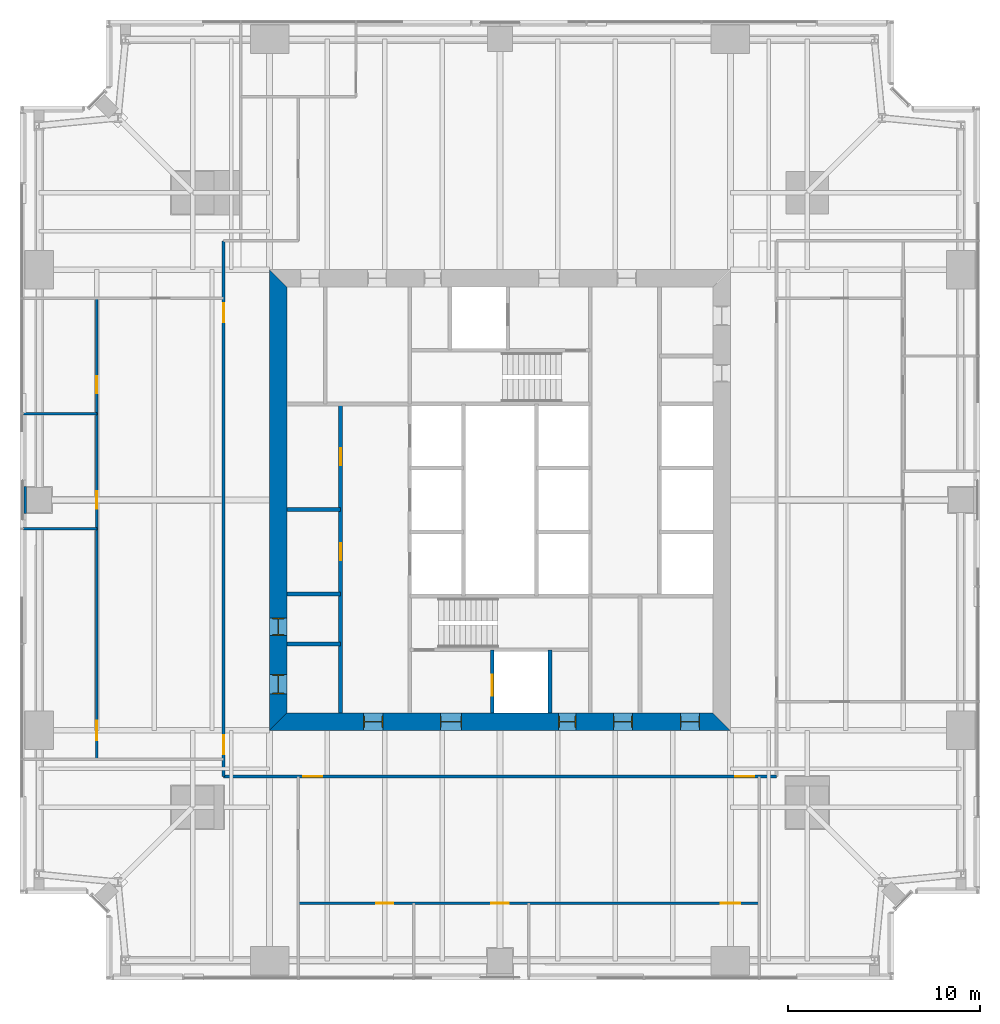
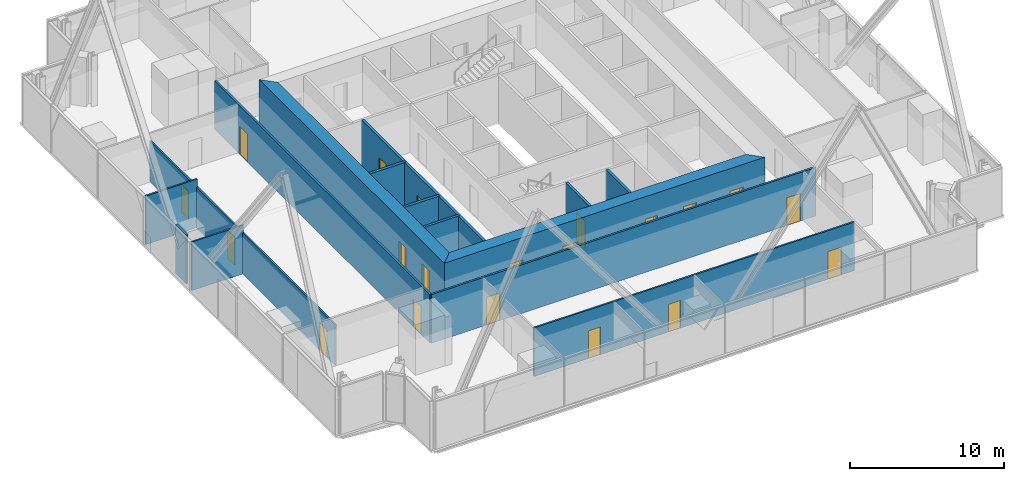
# One storey, part 9 of 13: 20 doors, 15 walls, 20 openings.
"""IFC4 building model written with IfcOpenShell, lengths in metres."""

from ifc_helpers import new_model, si_unit, direction, frame, frame_2d, origin, place, context, subcontext, project, spatial, polyline, rectangle, outline, extrude, material, layer, layer_set, type_object, element, fill, save


model = new_model("IFC4")

# Units and contexts
model_context = context("Model", 3, precision=1e-05, world=origin(), true_north=direction((0.0, 1.0)))
body_context = subcontext(model_context, "Body", "Model", "MODEL_VIEW")
ifc_project = project(units=[si_unit("LENGTHUNIT", "METRE"), si_unit("AREAUNIT", "SQUARE_METRE"), si_unit("VOLUMEUNIT", "CUBIC_METRE"), si_unit("PLANEANGLEUNIT", "RADIAN"), si_unit("MASSUNIT", "GRAM", prefix="KILO")], contexts=[model_context])

# Site, building, storey
site_placement = place(None, origin())
site = spatial("IfcSite", under=ifc_project, at=site_placement, CompositionType="ELEMENT")
building_placement = place(site_placement, origin())
building = spatial("IfcBuilding", under=site, at=building_placement, Name="Fenwick Lantern Interchange", CompositionType="ELEMENT")
storey_placement = place(building_placement, frame((0.0, 0.0, 146.39990234375)))
storey = spatial("IfcBuildingStorey", under=building, at=storey_placement, Name="L34", CompositionType="ELEMENT", Elevation=146.39990234375)

# Wall
ifc_material_1 = material(Name="Fire-rated gypsum board encasement on steel studs, 2 hour", Category="steel")
ifc_layer_1 = layer(ifc_material_1, 1.39990234375)
ifc_layer_set_1 = layer_set([ifc_layer_1], Name="COLUMN PIER 1400")
wall_type_1 = type_object("IfcWallType", Name="COLUMN PIER 1400", PredefinedType="PARTITIONING", material=ifc_layer_set_1)
wall_1_placement = place(storey_placement, frame((0.199951171875, 25.0, 0.0), z_axis=(0.0, 0.0, 1.0), x_axis=(1.0, 0.0, 0.0)))
element("IfcWall", 1, at=wall_1_placement, inside=storey, type_object=wall_type_1, Name="L34/W/PIER/CW3", PredefinedType="PARTITIONING", context=body_context, shape_type="SweptSolid", body=[
    extrude(rectangle(XDim=0.150146484375, YDim=1.39990234375, at=frame_2d((0.0751953125, 0.0))), origin(), (0.0, 0.0, 1.0), 3.85009765625),
])

# Wall, openings, doors
ifc_material_2 = material(Name="Concrete masonry ASTM C90 Grade N", Category="masonry")
ifc_layer_2 = layer(ifc_material_2, 0.199951171875)
ifc_layer_set_2 = layer_set([ifc_layer_2], Name="Concrete masonry ASTM C90 Grade N")
wall_type_2 = type_object("IfcWallType", Name="CORE PARTITION 200", PredefinedType="PARTITIONING", material=ifc_layer_set_2)
wall_2_placement = place(storey_placement, frame((16.699951171875, 13.89990234375, 0.0), z_axis=(0.0, 0.0, 1.0), x_axis=(0.0, 1.0, 0.0)))
wall_2 = element("IfcWall", 2, at=wall_2_placement, inside=storey, type_object=wall_type_2, Name="L34/W/CORES/a", PredefinedType="PARTITIONING", context=body_context, shape_type="SweptSolid", body=[
    extrude(rectangle(XDim=16.10009765625, YDim=0.199951171875, at=frame_2d((8.050048828125, 0.0))), origin(), (0.0, 0.0, 1.0), 3.800048828125),
])
opening_1_placement = place(wall_2_placement, frame((7.949951171875, 0.0, 0.0)))
opening_1 = element("IfcOpeningElement", 3, at=opening_1_placement, cuts=wall_2, Name="Opening L34-D009", PredefinedType="OPENING", context=body_context, shape_type="SweptSolid", body=[
    extrude(rectangle(XDim=0.89990234375, YDim=2.199951171875, at=frame_2d((0.449951171875, 1.10009765625))), frame((0.0, 0.10986328125, 0.0), z_axis=(0.0, -1.0, 0.0), x_axis=(1.0, 0.0, 0.0)), (0.0, 0.0, 1.0), 0.219970703125),
])
opening_2_placement = place(wall_2_placement, frame((12.89990234375, 0.0, 0.0)))
opening_2 = element("IfcOpeningElement", 4, at=opening_2_placement, cuts=wall_2, Name="Opening L34-D010", PredefinedType="OPENING", context=body_context, shape_type="SweptSolid", body=[
    extrude(rectangle(XDim=0.89990234375, YDim=2.199951171875, at=frame_2d((0.449951171875, 1.10009765625))), frame((0.0, 0.10986328125, 0.0), z_axis=(0.0, -1.0, 0.0), x_axis=(1.0, 0.0, 0.0)), (0.0, 0.0, 1.0), 0.219970703125),
])
ifc_material_3 = material(Name="Steel door and frame", Category="steel")
door_type_1 = type_object("IfcDoorType", Name="SERVICE DOOR 900 X 2200", OperationType="SINGLE_SWING_LEFT", PredefinedType="DOOR", material=ifc_material_3)
door_1_placement = place(opening_1_placement, origin())
door_1 = element("IfcDoor", 5, at=door_1_placement, inside=storey, type_object=door_type_1, Name="Service door", OperationType="SINGLE_SWING_LEFT", OverallHeight=2.199951171875, OverallWidth=0.89990234375, PredefinedType="DOOR", context=body_context, shape_type="SweptSolid", body=[
    extrude(rectangle(XDim=0.89990234375, YDim=2.199951171875, at=frame_2d((0.449951171875, 1.10009765625))), frame((0.0, 0.02490234375, 0.0), z_axis=(0.0, -1.0, 0.0), x_axis=(1.0, 0.0, 0.0)), (0.0, 0.0, 1.0), 0.050048828125),
])
fill(opening_1, door_1)
door_2_placement = place(opening_2_placement, origin())
door_2 = element("IfcDoor", 6, at=door_2_placement, inside=storey, type_object=door_type_1, Name="Service door", OperationType="SINGLE_SWING_LEFT", OverallHeight=2.199951171875, OverallWidth=0.89990234375, PredefinedType="DOOR", context=body_context, shape_type="SweptSolid", body=[
    extrude(rectangle(XDim=0.89990234375, YDim=2.199951171875, at=frame_2d((0.449951171875, 1.10009765625))), frame((0.0, 0.02490234375, 0.0), z_axis=(0.0, -1.0, 0.0), x_axis=(1.0, 0.0, 0.0)), (0.0, 0.0, 1.0), 0.050048828125),
])
fill(opening_2, door_2)

# Wall, opening, door
wall_3_placement = place(storey_placement, frame((24.60009765625, 13.89990234375, 0.0), z_axis=(0.0, 0.0, 1.0), x_axis=(0.0, 1.0, 0.0)))
wall_3 = element("IfcWall", 7, at=wall_3_placement, inside=storey, type_object=wall_type_2, Name="L34/W/CORES/h1", PredefinedType="PARTITIONING", context=body_context, shape_type="SweptSolid", body=[
    extrude(rectangle(XDim=3.300048828125, YDim=0.199951171875, at=frame_2d((1.64990234375, 0.0))), origin(), (0.0, 0.0, 1.0), 3.800048828125),
])
opening_3_placement = place(wall_3_placement, frame((0.89990234375, 0.0, 0.0)))
opening_3 = element("IfcOpeningElement", 8, at=opening_3_placement, cuts=wall_3, Name="Opening LD-FL1", PredefinedType="OPENING", context=body_context, shape_type="SweptSolid", body=[
    extrude(rectangle(XDim=1.10009765625, YDim=2.199951171875, at=frame_2d((0.550048828125, 1.10009765625))), frame((0.0, 0.10986328125, 0.0), z_axis=(0.0, -1.0, 0.0), x_axis=(1.0, 0.0, 0.0)), (0.0, 0.0, 1.0), 0.219970703125),
])
door_type_2 = type_object("IfcDoorType", Name="LIFT LANDING DOOR 1100 X 2200", OperationType="DOUBLE_DOOR_SLIDING", PredefinedType="DOOR", material=ifc_material_3)
door_3_placement = place(opening_3_placement, origin())
door_3 = element("IfcDoor", 9, at=door_3_placement, inside=storey, type_object=door_type_2, Name="Lift landing door FL1", OperationType="DOUBLE_DOOR_SLIDING", OverallHeight=2.199951171875, OverallWidth=1.10009765625, PredefinedType="DOOR", context=body_context, shape_type="SweptSolid", body=[
    extrude(rectangle(XDim=1.10009765625, YDim=2.199951171875, at=frame_2d((0.550048828125, 1.10009765625))), frame((0.0, 0.02490234375, 0.0), z_axis=(0.0, -1.0, 0.0), x_axis=(1.0, 0.0, 0.0)), (0.0, 0.0, 1.0), 0.050048828125),
])
fill(opening_3, door_3)

# Walls
wall_4_placement = place(storey_placement, frame((27.60009765625, 13.89990234375, 0.0), z_axis=(0.0, 0.0, 1.0), x_axis=(0.0, 1.0, 0.0)))
element("IfcWall", 10, at=wall_4_placement, inside=storey, type_object=wall_type_2, Name="L34/W/CORES/h2", PredefinedType="PARTITIONING", context=body_context, shape_type="SweptSolid", body=[
    extrude(rectangle(XDim=3.300048828125, YDim=0.199951171875, at=frame_2d((1.64990234375, 0.0))), origin(), (0.0, 0.0, 1.0), 3.800048828125),
])
for number, where, z_axis, x_axis, name in (
    (11, (13.89990234375, 17.5, 0.0), (0.0, 0.0, 1.0), (1.0, 0.0, 0.0), "L34/W/CORES/p1"),
    (12, (13.89990234375, 20.10009765625, 0.0), (0.0, 0.0, 1.0), (1.0, 0.0, 0.0), "L34/W/CORES/p2"),
    (13, (13.89990234375, 24.5, 0.0), (0.0, 0.0, 1.0), (1.0, 0.0, 0.0), "L34/W/CORES/p3"),
):
    element("IfcWall", number, at=place(storey_placement, frame(where, z_axis=z_axis, x_axis=x_axis)), inside=storey, type_object=wall_type_2, Name=name, PredefinedType="PARTITIONING", context=body_context, shape_type="SweptSolid", body=[
        extrude(rectangle(XDim=2.800048828125, YDim=0.199951171875, at=frame_2d((1.39990234375, 0.0))), origin(), (0.0, 0.0, 1.0), 3.800048828125),
    ])

# Wall, openings, doors
ifc_material_4 = material(Name="Concrete f'c 70 MPa", Category="concrete")
ifc_layer_3 = layer(ifc_material_4, 0.89990234375)
ifc_layer_set_3 = layer_set([ifc_layer_3], Name="CORE WALL 900")
wall_type_3 = type_object("IfcWallType", Name="CORE WALL 900", PredefinedType="SHEAR", material=ifc_layer_set_3)
wall_5_placement = place(storey_placement, frame((13.0, 13.449951171875, 0.0), z_axis=(0.0, 0.0, 1.0), x_axis=(1.0, 0.0, 0.0)))
wall_5 = element("IfcWall", 14, at=wall_5_placement, inside=storey, type_object=wall_type_3, Name="L34/CORE/S", PredefinedType="SHEAR", context=body_context, shape_type="SweptSolid", body=[
    extrude(outline(polyline([(0.0, -0.449951171875), (24.0, -0.449951171875), (23.10009765625, 0.449951171875), (0.89990234375, 0.449951171875), (0.0, -0.449951171875)])), origin(), (0.0, 0.0, 1.0), 4.0),
])
opening_4_placement = place(wall_5_placement, frame((4.89990234375, 0.0, 0.0)))
opening_4 = element("IfcOpeningElement", 15, at=opening_4_placement, cuts=wall_5, Name="Opening L34-D001", PredefinedType="OPENING", context=body_context, shape_type="SweptSolid", body=[
    extrude(rectangle(XDim=1.0, YDim=2.199951171875, at=frame_2d((0.5, 1.10009765625))), frame((0.0, 0.4599609375, 0.0), z_axis=(0.0, -1.0, 0.0), x_axis=(1.0, 0.0, 0.0)), (0.0, 0.0, 1.0), 0.919921875),
])
opening_5_placement = place(wall_5_placement, frame((8.89990234375, 0.0, 0.0)))
opening_5 = element("IfcOpeningElement", 16, at=opening_5_placement, cuts=wall_5, Name="Opening L34-D002", PredefinedType="OPENING", context=body_context, shape_type="SweptSolid", body=[
    extrude(rectangle(XDim=1.10009765625, YDim=2.199951171875, at=frame_2d((0.550048828125, 1.10009765625))), frame((0.0, 0.4599609375, 0.0), z_axis=(0.0, -1.0, 0.0), x_axis=(1.0, 0.0, 0.0)), (0.0, 0.0, 1.0), 0.919921875),
])
opening_6_placement = place(wall_5_placement, frame((15.050048828125, 0.0, 0.0)))
opening_6 = element("IfcOpeningElement", 17, at=opening_6_placement, cuts=wall_5, Name="Opening L34-D004", PredefinedType="OPENING", context=body_context, shape_type="SweptSolid", body=[
    extrude(rectangle(XDim=0.89990234375, YDim=2.199951171875, at=frame_2d((0.449951171875, 1.10009765625))), frame((0.0, 0.4599609375, 0.0), z_axis=(0.0, -1.0, 0.0), x_axis=(1.0, 0.0, 0.0)), (0.0, 0.0, 1.0), 0.919921875),
])
opening_7_placement = place(wall_5_placement, frame((17.89990234375, 0.0, 0.0)))
opening_7 = element("IfcOpeningElement", 18, at=opening_7_placement, cuts=wall_5, Name="Opening L34-D005", PredefinedType="OPENING", context=body_context, shape_type="SweptSolid", body=[
    extrude(rectangle(XDim=1.0, YDim=2.199951171875, at=frame_2d((0.5, 1.10009765625))), frame((0.0, 0.4599609375, 0.0), z_axis=(0.0, -1.0, 0.0), x_axis=(1.0, 0.0, 0.0)), (0.0, 0.0, 1.0), 0.919921875),
])
opening_8_placement = place(wall_5_placement, frame((21.39990234375, 0.0, 0.0)))
opening_8 = element("IfcOpeningElement", 19, at=opening_8_placement, cuts=wall_5, Name="Opening L34-D006", PredefinedType="OPENING", context=body_context, shape_type="SweptSolid", body=[
    extrude(rectangle(XDim=1.0, YDim=2.199951171875, at=frame_2d((0.5, 1.10009765625))), frame((0.0, 0.4599609375, 0.0), z_axis=(0.0, -1.0, 0.0), x_axis=(1.0, 0.0, 0.0)), (0.0, 0.0, 1.0), 0.919921875),
])
door_type_3 = type_object("IfcDoorType", Name="CORE LOBBY DOOR 1000 X 2200", OperationType="SINGLE_SWING_LEFT", PredefinedType="DOOR", material=ifc_material_3)
door_4_placement = place(opening_4_placement, origin())
door_4 = element("IfcDoor", 20, at=door_4_placement, inside=storey, type_object=door_type_3, Name="Core lobby door", OperationType="SINGLE_SWING_LEFT", OverallHeight=2.199951171875, OverallWidth=1.0, PredefinedType="DOOR", context=body_context, shape_type="SweptSolid", body=[
    extrude(rectangle(XDim=1.0, YDim=2.199951171875, at=frame_2d((0.5, 1.10009765625))), frame((0.0, 0.02490234375, 0.0), z_axis=(0.0, -1.0, 0.0), x_axis=(1.0, 0.0, 0.0)), (0.0, 0.0, 1.0), 0.050048828125),
    extrude(outline(polyline([(0.0, 0.0), (0.0400390625, 0.0), (0.0400390625, 2.159912109375), (0.9599609375, 2.159912109375), (0.9599609375, 0.0), (1.0, 0.0), (1.0, 2.199951171875), (0.0, 2.199951171875), (0.0, 0.0)])), frame((0.0, 0.300048828125, 0.0), z_axis=(0.0, -1.0, 0.0), x_axis=(1.0, 0.0, 0.0)), (0.0, 0.0, 1.0), 0.60009765625),
])
fill(opening_4, door_4)
door_type_4 = type_object("IfcDoorType", Name="FIRE LOBBY DOOR 1100 X 2200", OperationType="SINGLE_SWING_LEFT", PredefinedType="DOOR", material=ifc_material_3)
door_5_placement = place(opening_5_placement, origin())
door_5 = element("IfcDoor", 21, at=door_5_placement, inside=storey, type_object=door_type_4, Name="Fire lobby door", OperationType="SINGLE_SWING_LEFT", OverallHeight=2.199951171875, OverallWidth=1.10009765625, PredefinedType="DOOR", context=body_context, shape_type="SweptSolid", body=[
    extrude(rectangle(XDim=1.10009765625, YDim=2.199951171875, at=frame_2d((0.550048828125, 1.10009765625))), frame((0.0, 0.02490234375, 0.0), z_axis=(0.0, -1.0, 0.0), x_axis=(1.0, 0.0, 0.0)), (0.0, 0.0, 1.0), 0.050048828125),
    extrude(outline(polyline([(0.0, 0.0), (0.0400390625, 0.0), (0.0400390625, 2.159912109375), (1.06005859375, 2.159912109375), (1.06005859375, 0.0), (1.10009765625, 0.0), (1.10009765625, 2.199951171875), (0.0, 2.199951171875), (0.0, 0.0)])), frame((0.0, 0.300048828125, 0.0), z_axis=(0.0, -1.0, 0.0), x_axis=(1.0, 0.0, 0.0)), (0.0, 0.0, 1.0), 0.60009765625),
])
fill(opening_5, door_5)
door_6_placement = place(opening_6_placement, origin())
door_6 = element("IfcDoor", 22, at=door_6_placement, inside=storey, type_object=door_type_1, Name="Service door", OperationType="SINGLE_SWING_LEFT", OverallHeight=2.199951171875, OverallWidth=0.89990234375, PredefinedType="DOOR", context=body_context, shape_type="SweptSolid", body=[
    extrude(rectangle(XDim=0.89990234375, YDim=2.199951171875, at=frame_2d((0.449951171875, 1.10009765625))), frame((0.0, 0.02490234375, 0.0), z_axis=(0.0, -1.0, 0.0), x_axis=(1.0, 0.0, 0.0)), (0.0, 0.0, 1.0), 0.050048828125),
    extrude(outline(polyline([(0.0, 0.0), (0.0400390625, 0.0), (0.0400390625, 2.159912109375), (0.85986328125, 2.159912109375), (0.85986328125, 0.0), (0.89990234375, 0.0), (0.89990234375, 2.199951171875), (0.0, 2.199951171875), (0.0, 0.0)])), frame((0.0, 0.300048828125, 0.0), z_axis=(0.0, -1.0, 0.0), x_axis=(1.0, 0.0, 0.0)), (0.0, 0.0, 1.0), 0.60009765625),
])
fill(opening_6, door_6)
ifc_material_5 = material(Name="Hardwood door and steel frame", Category="steel")
door_type_5 = type_object("IfcDoorType", Name="WC DOOR 1000 X 2200", OperationType="SINGLE_SWING_LEFT", PredefinedType="DOOR", material=ifc_material_5)
door_7_placement = place(opening_7_placement, origin())
door_7 = element("IfcDoor", 23, at=door_7_placement, inside=storey, type_object=door_type_5, Name="Wc door", OperationType="SINGLE_SWING_RIGHT", OverallHeight=2.199951171875, OverallWidth=1.0, PredefinedType="DOOR", context=body_context, shape_type="SweptSolid", body=[
    extrude(rectangle(XDim=1.0, YDim=2.199951171875, at=frame_2d((0.5, 1.10009765625))), frame((0.0, 0.02490234375, 0.0), z_axis=(0.0, -1.0, 0.0), x_axis=(1.0, 0.0, 0.0)), (0.0, 0.0, 1.0), 0.050048828125),
    extrude(outline(polyline([(0.0, 0.0), (0.0400390625, 0.0), (0.0400390625, 2.159912109375), (0.9599609375, 2.159912109375), (0.9599609375, 0.0), (1.0, 0.0), (1.0, 2.199951171875), (0.0, 2.199951171875), (0.0, 0.0)])), frame((0.0, 0.300048828125, 0.0), z_axis=(0.0, -1.0, 0.0), x_axis=(1.0, 0.0, 0.0)), (0.0, 0.0, 1.0), 0.60009765625),
])
fill(opening_7, door_7)
door_8_placement = place(opening_8_placement, origin())
door_8 = element("IfcDoor", 24, at=door_8_placement, inside=storey, type_object=door_type_5, Name="Wc door", OperationType="SINGLE_SWING_RIGHT", OverallHeight=2.199951171875, OverallWidth=1.0, PredefinedType="DOOR", context=body_context, shape_type="SweptSolid", body=[
    extrude(rectangle(XDim=1.0, YDim=2.199951171875, at=frame_2d((0.5, 1.10009765625))), frame((0.0, 0.02490234375, 0.0), z_axis=(0.0, -1.0, 0.0), x_axis=(1.0, 0.0, 0.0)), (0.0, 0.0, 1.0), 0.050048828125),
    extrude(outline(polyline([(0.0, 0.0), (0.0400390625, 0.0), (0.0400390625, 2.159912109375), (0.9599609375, 2.159912109375), (0.9599609375, 0.0), (1.0, 0.0), (1.0, 2.199951171875), (0.0, 2.199951171875), (0.0, 0.0)])), frame((0.0, 0.300048828125, 0.0), z_axis=(0.0, -1.0, 0.0), x_axis=(1.0, 0.0, 0.0)), (0.0, 0.0, 1.0), 0.60009765625),
])
fill(opening_8, door_8)

wall_6_placement = place(storey_placement, frame((13.449951171875, 36.10009765625, 0.0), z_axis=(0.0, 0.0, 1.0), x_axis=(0.0, -1.0, 0.0)))
wall_6 = element("IfcWall", 25, at=wall_6_placement, inside=storey, type_object=wall_type_3, Name="L34/CORE/W", PredefinedType="SHEAR", context=body_context, shape_type="SweptSolid", body=[
    extrude(outline(polyline([(-0.89990234375, -0.449951171875), (23.10009765625, -0.449951171875), (22.199951171875, 0.449951171875), (0.0, 0.449951171875), (-0.89990234375, -0.449951171875)])), origin(), (0.0, 0.0, 1.0), 4.0),
])
opening_9_placement = place(wall_6_placement, frame((20.199951171875, 0.0, 0.0)))
opening_9 = element("IfcOpeningElement", 26, at=opening_9_placement, cuts=wall_6, Name="Opening L34-D007", PredefinedType="OPENING", context=body_context, shape_type="SweptSolid", body=[
    extrude(rectangle(XDim=1.0, YDim=2.199951171875, at=frame_2d((0.5, 1.10009765625))), frame((0.0, 0.4599609375, 0.0), z_axis=(0.0, -1.0, 0.0), x_axis=(1.0, 0.0, 0.0)), (0.0, 0.0, 1.0), 0.919921875),
])
opening_10_placement = place(wall_6_placement, frame((17.25, 0.0, 0.0)))
opening_10 = element("IfcOpeningElement", 27, at=opening_10_placement, cuts=wall_6, Name="Opening L34-D008", PredefinedType="OPENING", context=body_context, shape_type="SweptSolid", body=[
    extrude(rectangle(XDim=0.89990234375, YDim=2.199951171875, at=frame_2d((0.449951171875, 1.10009765625))), frame((0.0, 0.4599609375, 0.0), z_axis=(0.0, -1.0, 0.0), x_axis=(1.0, 0.0, 0.0)), (0.0, 0.0, 1.0), 0.919921875),
])
door_9_placement = place(opening_10_placement, origin())
door_9 = element("IfcDoor", 28, at=door_9_placement, inside=storey, type_object=door_type_1, Name="Service door", OperationType="SINGLE_SWING_RIGHT", OverallHeight=2.199951171875, OverallWidth=0.89990234375, PredefinedType="DOOR", context=body_context, shape_type="SweptSolid", body=[
    extrude(rectangle(XDim=0.89990234375, YDim=2.199951171875, at=frame_2d((0.449951171875, 1.10009765625))), frame((0.0, 0.02490234375, 0.0), z_axis=(0.0, -1.0, 0.0), x_axis=(1.0, 0.0, 0.0)), (0.0, 0.0, 1.0), 0.050048828125),
    extrude(outline(polyline([(0.0, 0.0), (0.0400390625, 0.0), (0.0400390625, 2.159912109375), (0.85986328125, 2.159912109375), (0.85986328125, 0.0), (0.89990234375, 0.0), (0.89990234375, 2.199951171875), (0.0, 2.199951171875), (0.0, 0.0)])), frame((0.0, 0.300048828125, 0.0), z_axis=(0.0, -1.0, 0.0), x_axis=(1.0, 0.0, 0.0)), (0.0, 0.0, 1.0), 0.60009765625),
])
fill(opening_10, door_9)
door_10_placement = place(opening_9_placement, origin())
door_10 = element("IfcDoor", 29, at=door_10_placement, inside=storey, type_object=door_type_5, Name="Wc door", OperationType="SINGLE_SWING_RIGHT", OverallHeight=2.199951171875, OverallWidth=1.0, PredefinedType="DOOR", context=body_context, shape_type="SweptSolid", body=[
    extrude(rectangle(XDim=1.0, YDim=2.199951171875, at=frame_2d((0.5, 1.10009765625))), frame((0.0, 0.02490234375, 0.0), z_axis=(0.0, -1.0, 0.0), x_axis=(1.0, 0.0, 0.0)), (0.0, 0.0, 1.0), 0.050048828125),
    extrude(outline(polyline([(0.0, 0.0), (0.0400390625, 0.0), (0.0400390625, 2.159912109375), (0.9599609375, 2.159912109375), (0.9599609375, 0.0), (1.0, 0.0), (1.0, 2.199951171875), (0.0, 2.199951171875), (0.0, 0.0)])), frame((0.0, 0.300048828125, 0.0), z_axis=(0.0, -1.0, 0.0), x_axis=(1.0, 0.0, 0.0)), (0.0, 0.0, 1.0), 0.60009765625),
])
fill(opening_9, door_10)

ifc_material_6 = material(Name="Gypsum board on steel studs, 1 hour", Category="steel")
ifc_layer_4 = layer(ifc_material_6, 0.14990234375)
ifc_layer_set_4 = layer_set([ifc_layer_4], Name="CORRIDOR WALL 150")
wall_type_4 = type_object("IfcWallType", Name="CORRIDOR WALL 150", PredefinedType="PARTITIONING", material=ifc_layer_set_4)
wall_7_placement = place(storey_placement, frame((10.60009765625, 10.60009765625, 0.0), z_axis=(0.0, 0.0, 1.0), x_axis=(1.0, 0.0, 0.0)))
wall_7 = element("IfcWall", 30, at=wall_7_placement, inside=storey, type_object=wall_type_4, Name="L34/W/OFF/S/CW2", PredefinedType="PARTITIONING", context=body_context, shape_type="SweptSolid", body=[
    extrude(rectangle(XDim=28.7998046875, YDim=0.14990234375, at=frame_2d((14.39990234375, 0.0))), origin(), (0.0, 0.0, 1.0), 3.85009765625),
])
opening_11_placement = place(wall_7_placement, frame((4.14990234375, 0.0, 0.0)))
opening_11 = element("IfcOpeningElement", 31, at=opening_11_placement, cuts=wall_7, Name="Opening L34-D019", PredefinedType="OPENING", context=body_context, shape_type="SweptSolid", body=[
    extrude(rectangle(XDim=1.0, YDim=2.199951171875, at=frame_2d((0.5, 1.10009765625))), frame((0.0, 0.0849609375, 0.0), z_axis=(0.0, -1.0, 0.0), x_axis=(1.0, 0.0, 0.0)), (0.0, 0.0, 1.0), 0.169921875),
])
opening_12_placement = place(wall_7_placement, frame((26.64990234375, 0.0, 0.0)))
opening_12 = element("IfcOpeningElement", 32, at=opening_12_placement, cuts=wall_7, Name="Opening L34-D020", PredefinedType="OPENING", context=body_context, shape_type="SweptSolid", body=[
    extrude(rectangle(XDim=1.0, YDim=2.199951171875, at=frame_2d((0.5, 1.10009765625))), frame((0.0, 0.0849609375, 0.0), z_axis=(0.0, -1.0, 0.0), x_axis=(1.0, 0.0, 0.0)), (0.0, 0.0, 1.0), 0.169921875),
])
door_type_6 = type_object("IfcDoorType", Name="SUITE ENTRANCE DOOR 1000 X 2200", OperationType="SINGLE_SWING_LEFT", PredefinedType="DOOR", material=ifc_material_3)
door_11_placement = place(opening_11_placement, origin())
door_11 = element("IfcDoor", 33, at=door_11_placement, inside=storey, type_object=door_type_6, Name="Suite entrance door", OperationType="SINGLE_SWING_LEFT", OverallHeight=2.199951171875, OverallWidth=1.0, PredefinedType="DOOR", context=body_context, shape_type="SweptSolid", body=[
    extrude(rectangle(XDim=1.0, YDim=2.199951171875, at=frame_2d((0.5, 1.10009765625))), frame((0.0, 0.02490234375, 0.0), z_axis=(0.0, -1.0, 0.0), x_axis=(1.0, 0.0, 0.0)), (0.0, 0.0, 1.0), 0.050048828125),
])
fill(opening_11, door_11)
door_12_placement = place(opening_12_placement, origin())
door_12 = element("IfcDoor", 34, at=door_12_placement, inside=storey, type_object=door_type_6, Name="Suite entrance door", OperationType="SINGLE_SWING_RIGHT", OverallHeight=2.199951171875, OverallWidth=1.0, PredefinedType="DOOR", context=body_context, shape_type="SweptSolid", body=[
    extrude(rectangle(XDim=1.0, YDim=2.199951171875, at=frame_2d((0.5, 1.10009765625))), frame((0.0, 0.02490234375, 0.0), z_axis=(0.0, -1.0, 0.0), x_axis=(1.0, 0.0, 0.0)), (0.0, 0.0, 1.0), 0.050048828125),
])
fill(opening_12, door_12)

wall_8_placement = place(storey_placement, frame((10.60009765625, 38.5, 0.0), z_axis=(0.0, 0.0, 1.0), x_axis=(0.0, -1.0, 0.0)))
wall_8 = element("IfcWall", 35, at=wall_8_placement, inside=storey, type_object=wall_type_4, Name="L34/W/OFF/W/CW2", PredefinedType="PARTITIONING", context=body_context, shape_type="SweptSolid", body=[
    extrude(rectangle(XDim=27.89990234375, YDim=0.14990234375, at=frame_2d((13.949951171875, 0.0))), origin(), (0.0, 0.0, 1.0), 3.85009765625),
])
opening_13_placement = place(wall_8_placement, frame((3.25, 0.0, 0.0)))
opening_13 = element("IfcOpeningElement", 36, at=opening_13_placement, cuts=wall_8, Name="Opening L34-D034", PredefinedType="OPENING", context=body_context, shape_type="SweptSolid", body=[
    extrude(rectangle(XDim=1.0, YDim=2.199951171875, at=frame_2d((0.5, 1.10009765625))), frame((0.0, 0.0849609375, 0.0), z_axis=(0.0, -1.0, 0.0), x_axis=(1.0, 0.0, 0.0)), (0.0, 0.0, 1.0), 0.169921875),
])
opening_14_placement = place(wall_8_placement, frame((25.75, 0.0, 0.0)))
opening_14 = element("IfcOpeningElement", 37, at=opening_14_placement, cuts=wall_8, Name="Opening L34-D035", PredefinedType="OPENING", context=body_context, shape_type="SweptSolid", body=[
    extrude(rectangle(XDim=1.0, YDim=2.199951171875, at=frame_2d((0.5, 1.10009765625))), frame((0.0, 0.0849609375, 0.0), z_axis=(0.0, -1.0, 0.0), x_axis=(1.0, 0.0, 0.0)), (0.0, 0.0, 1.0), 0.169921875),
])
door_13_placement = place(opening_13_placement, origin())
door_13 = element("IfcDoor", 38, at=door_13_placement, inside=storey, type_object=door_type_6, Name="Suite entrance door", OperationType="SINGLE_SWING_LEFT", OverallHeight=2.199951171875, OverallWidth=1.0, PredefinedType="DOOR", context=body_context, shape_type="SweptSolid", body=[
    extrude(rectangle(XDim=1.0, YDim=2.199951171875, at=frame_2d((0.5, 1.10009765625))), frame((0.0, 0.02490234375, 0.0), z_axis=(0.0, -1.0, 0.0), x_axis=(1.0, 0.0, 0.0)), (0.0, 0.0, 1.0), 0.050048828125),
])
fill(opening_13, door_13)
door_14_placement = place(opening_14_placement, origin())
door_14 = element("IfcDoor", 39, at=door_14_placement, inside=storey, type_object=door_type_6, Name="Suite entrance door", OperationType="SINGLE_SWING_RIGHT", OverallHeight=2.199951171875, OverallWidth=1.0, PredefinedType="DOOR", context=body_context, shape_type="SweptSolid", body=[
    extrude(rectangle(XDim=1.0, YDim=2.199951171875, at=frame_2d((0.5, 1.10009765625))), frame((0.0, 0.02490234375, 0.0), z_axis=(0.0, -1.0, 0.0), x_axis=(1.0, 0.0, 0.0)), (0.0, 0.0, 1.0), 0.050048828125),
])
fill(opening_14, door_14)

ifc_material_7 = material(Name="Gypsum board on steel studs, acoustic", Category="steel")
ifc_layer_5 = layer(ifc_material_7, 0.125)
ifc_layer_set_5 = layer_set([ifc_layer_5], Name="OFFICE PARTITION 125")
wall_type_5 = type_object("IfcWallType", Name="OFFICE PARTITION 125", PredefinedType="PARTITIONING", material=ifc_layer_set_5)
wall_9_placement = place(storey_placement, frame((14.5, 4.0, 0.0), z_axis=(0.0, 0.0, 1.0), x_axis=(1.0, 0.0, 0.0)))
wall_9 = element("IfcWall", 40, at=wall_9_placement, inside=storey, type_object=wall_type_5, Name="L34/W/OFF/S/Y40-1", PredefinedType="PARTITIONING", context=body_context, shape_type="SweptSolid", body=[
    extrude(rectangle(XDim=24.0, YDim=0.125, at=frame_2d((12.0, 0.0))), origin(), (0.0, 0.0, 1.0), 3.85009765625),
])
opening_15_placement = place(wall_9_placement, frame((4.050048828125, 0.0, 0.0)))
opening_15 = element("IfcOpeningElement", 41, at=opening_15_placement, cuts=wall_9, Name="Opening L34-D022", PredefinedType="OPENING", context=body_context, shape_type="SweptSolid", body=[
    extrude(rectangle(XDim=0.89990234375, YDim=2.199951171875, at=frame_2d((0.449951171875, 1.10009765625))), frame((0.0, 0.072509765625, 0.0), z_axis=(0.0, -1.0, 0.0), x_axis=(1.0, 0.0, 0.0)), (0.0, 0.0, 1.0), 0.14501953125),
])
opening_16_placement = place(wall_9_placement, frame((10.050048828125, 0.0, 0.0)))
opening_16 = element("IfcOpeningElement", 42, at=opening_16_placement, cuts=wall_9, Name="Opening L34-D023", PredefinedType="OPENING", context=body_context, shape_type="SweptSolid", body=[
    extrude(rectangle(XDim=0.89990234375, YDim=2.199951171875, at=frame_2d((0.449951171875, 1.10009765625))), frame((0.0, 0.072509765625, 0.0), z_axis=(0.0, -1.0, 0.0), x_axis=(1.0, 0.0, 0.0)), (0.0, 0.0, 1.0), 0.14501953125),
])
opening_17_placement = place(wall_9_placement, frame((22.0, 0.0, 0.0)))
opening_17 = element("IfcOpeningElement", 43, at=opening_17_placement, cuts=wall_9, Name="Opening L34-D024", PredefinedType="OPENING", context=body_context, shape_type="SweptSolid", body=[
    extrude(rectangle(XDim=1.0, YDim=2.199951171875, at=frame_2d((0.5, 1.10009765625))), frame((0.0, 0.072509765625, 0.0), z_axis=(0.0, -1.0, 0.0), x_axis=(1.0, 0.0, 0.0)), (0.0, 0.0, 1.0), 0.14501953125),
])
door_type_7 = type_object("IfcDoorType", Name="MEETING ROOM DOOR 1000 X 2200", OperationType="SINGLE_SWING_LEFT", PredefinedType="DOOR", material=ifc_material_5)
door_15_placement = place(opening_17_placement, frame((1.0, 0.0, 0.0), z_axis=(0.0, 0.0, 1.0), x_axis=(-1.0, 0.0, 0.0)))
door_15 = element("IfcDoor", 44, at=door_15_placement, inside=storey, type_object=door_type_7, Name="Meeting room door", OperationType="SINGLE_SWING_LEFT", OverallHeight=2.199951171875, OverallWidth=1.0, PredefinedType="DOOR", context=body_context, shape_type="SweptSolid", body=[
    extrude(rectangle(XDim=1.0, YDim=2.199951171875, at=frame_2d((0.5, 1.10009765625))), frame((0.0, 0.02490234375, 0.0), z_axis=(0.0, -1.0, 0.0), x_axis=(1.0, 0.0, 0.0)), (0.0, 0.0, 1.0), 0.050048828125),
])
fill(opening_17, door_15)
door_type_8 = type_object("IfcDoorType", Name="OFFICE DOOR 900 X 2200", OperationType="SINGLE_SWING_LEFT", PredefinedType="DOOR", material=ifc_material_5)
door_16_placement = place(opening_15_placement, frame((0.89990234375, 0.0, 0.0), z_axis=(0.0, 0.0, 1.0), x_axis=(-1.0, 0.0, 0.0)))
door_16 = element("IfcDoor", 45, at=door_16_placement, inside=storey, type_object=door_type_8, Name="Office door", OperationType="SINGLE_SWING_LEFT", OverallHeight=2.199951171875, OverallWidth=0.89990234375, PredefinedType="DOOR", context=body_context, shape_type="SweptSolid", body=[
    extrude(rectangle(XDim=0.89990234375, YDim=2.199951171875, at=frame_2d((0.449951171875, 1.10009765625))), frame((0.0, 0.02490234375, 0.0), z_axis=(0.0, -1.0, 0.0), x_axis=(1.0, 0.0, 0.0)), (0.0, 0.0, 1.0), 0.050048828125),
])
fill(opening_15, door_16)
door_17_placement = place(opening_16_placement, frame((0.89990234375, 0.0, 0.0), z_axis=(0.0, 0.0, 1.0), x_axis=(-1.0, 0.0, 0.0)))
door_17 = element("IfcDoor", 46, at=door_17_placement, inside=storey, type_object=door_type_8, Name="Office door", OperationType="SINGLE_SWING_LEFT", OverallHeight=2.199951171875, OverallWidth=0.89990234375, PredefinedType="DOOR", context=body_context, shape_type="SweptSolid", body=[
    extrude(rectangle(XDim=0.89990234375, YDim=2.199951171875, at=frame_2d((0.449951171875, 1.10009765625))), frame((0.0, 0.02490234375, 0.0), z_axis=(0.0, -1.0, 0.0), x_axis=(1.0, 0.0, 0.0)), (0.0, 0.0, 1.0), 0.050048828125),
])
fill(opening_16, door_17)

# Walls
for number, where, z_axis, x_axis, name in (
    (47, (0.14990234375, 29.5, 0.0), (0.0, 0.0, 1.0), (1.0, 0.0, 0.0), "L34/W/OFF/W/X205-1"),
    (48, (0.14990234375, 23.5, 0.0), (0.0, 0.0, 1.0), (1.0, 0.0, 0.0), "L34/W/OFF/W/X265-1"),
):
    element("IfcWall", number, at=place(storey_placement, frame(where, z_axis=z_axis, x_axis=x_axis)), inside=storey, type_object=wall_type_5, Name=name, PredefinedType="PARTITIONING", context=body_context, shape_type="SweptSolid", body=[
        extrude(rectangle(XDim=3.85009765625, YDim=0.125, at=frame_2d((1.925048828125, 0.0))), origin(), (0.0, 0.0, 1.0), 3.85009765625),
    ])

# Wall, openings, doors
wall_10_placement = place(storey_placement, frame((4.0, 35.5, 0.0), z_axis=(0.0, 0.0, 1.0), x_axis=(0.0, -1.0, 0.0)))
wall_10 = element("IfcWall", 49, at=wall_10_placement, inside=storey, type_object=wall_type_5, Name="L34/W/OFF/W/Y40-1", PredefinedType="PARTITIONING", context=body_context, shape_type="SweptSolid", body=[
    extrude(rectangle(XDim=24.0, YDim=0.125, at=frame_2d((12.0, 0.0))), origin(), (0.0, 0.0, 1.0), 3.238037109375),
])
opening_18_placement = place(wall_10_placement, frame((4.050048828125, 0.0, 0.0)))
opening_18 = element("IfcOpeningElement", 50, at=opening_18_placement, cuts=wall_10, Name="Opening L34-D037", PredefinedType="OPENING", context=body_context, shape_type="SweptSolid", body=[
    extrude(rectangle(XDim=0.89990234375, YDim=2.199951171875, at=frame_2d((0.449951171875, 1.10009765625))), frame((0.0, 0.072509765625, 0.0), z_axis=(0.0, -1.0, 0.0), x_axis=(1.0, 0.0, 0.0)), (0.0, 0.0, 1.0), 0.14501953125),
])
opening_19_placement = place(wall_10_placement, frame((10.050048828125, 0.0, 0.0)))
opening_19 = element("IfcOpeningElement", 51, at=opening_19_placement, cuts=wall_10, Name="Opening L34-D038", PredefinedType="OPENING", context=body_context, shape_type="SweptSolid", body=[
    extrude(rectangle(XDim=0.89990234375, YDim=2.199951171875, at=frame_2d((0.449951171875, 1.10009765625))), frame((0.0, 0.072509765625, 0.0), z_axis=(0.0, -1.0, 0.0), x_axis=(1.0, 0.0, 0.0)), (0.0, 0.0, 1.0), 0.14501953125),
])
opening_20_placement = place(wall_10_placement, frame((22.0, 0.0, 0.0)))
opening_20 = element("IfcOpeningElement", 52, at=opening_20_placement, cuts=wall_10, Name="Opening L34-D039", PredefinedType="OPENING", context=body_context, shape_type="SweptSolid", body=[
    extrude(rectangle(XDim=1.0, YDim=2.199951171875, at=frame_2d((0.5, 1.10009765625))), frame((0.0, 0.072509765625, 0.0), z_axis=(0.0, -1.0, 0.0), x_axis=(1.0, 0.0, 0.0)), (0.0, 0.0, 1.0), 0.14501953125),
])
door_18_placement = place(opening_20_placement, frame((1.0, 0.0, 0.0), z_axis=(0.0, 0.0, 1.0), x_axis=(-1.0, 0.0, 0.0)))
door_18 = element("IfcDoor", 53, at=door_18_placement, inside=storey, type_object=door_type_7, Name="Meeting room door", OperationType="SINGLE_SWING_LEFT", OverallHeight=2.199951171875, OverallWidth=1.0, PredefinedType="DOOR", context=body_context, shape_type="SweptSolid", body=[
    extrude(rectangle(XDim=1.0, YDim=2.199951171875, at=frame_2d((0.5, 1.10009765625))), frame((0.0, 0.02490234375, 0.0), z_axis=(0.0, -1.0, 0.0), x_axis=(1.0, 0.0, 0.0)), (0.0, 0.0, 1.0), 0.050048828125),
])
fill(opening_20, door_18)
door_19_placement = place(opening_18_placement, frame((0.89990234375, 0.0, 0.0), z_axis=(0.0, 0.0, 1.0), x_axis=(-1.0, 0.0, 0.0)))
door_19 = element("IfcDoor", 54, at=door_19_placement, inside=storey, type_object=door_type_8, Name="Office door", OperationType="SINGLE_SWING_LEFT", OverallHeight=2.199951171875, OverallWidth=0.89990234375, PredefinedType="DOOR", context=body_context, shape_type="SweptSolid", body=[
    extrude(rectangle(XDim=0.89990234375, YDim=2.199951171875, at=frame_2d((0.449951171875, 1.10009765625))), frame((0.0, 0.02490234375, 0.0), z_axis=(0.0, -1.0, 0.0), x_axis=(1.0, 0.0, 0.0)), (0.0, 0.0, 1.0), 0.050048828125),
])
fill(opening_18, door_19)
door_20_placement = place(opening_19_placement, frame((0.89990234375, 0.0, 0.0), z_axis=(0.0, 0.0, 1.0), x_axis=(-1.0, 0.0, 0.0)))
door_20 = element("IfcDoor", 55, at=door_20_placement, inside=storey, type_object=door_type_8, Name="Office door", OperationType="SINGLE_SWING_LEFT", OverallHeight=2.199951171875, OverallWidth=0.89990234375, PredefinedType="DOOR", context=body_context, shape_type="SweptSolid", body=[
    extrude(rectangle(XDim=0.89990234375, YDim=2.199951171875, at=frame_2d((0.449951171875, 1.10009765625))), frame((0.0, 0.02490234375, 0.0), z_axis=(0.0, -1.0, 0.0), x_axis=(1.0, 0.0, 0.0)), (0.0, 0.0, 1.0), 0.050048828125),
])
fill(opening_19, door_20)

save(model, "model.ifc")
